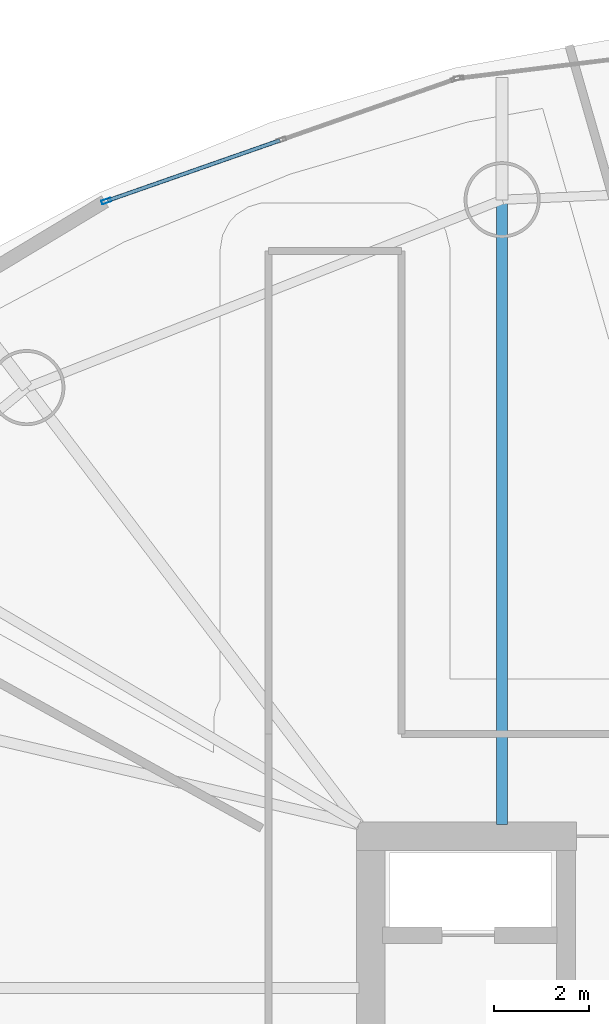
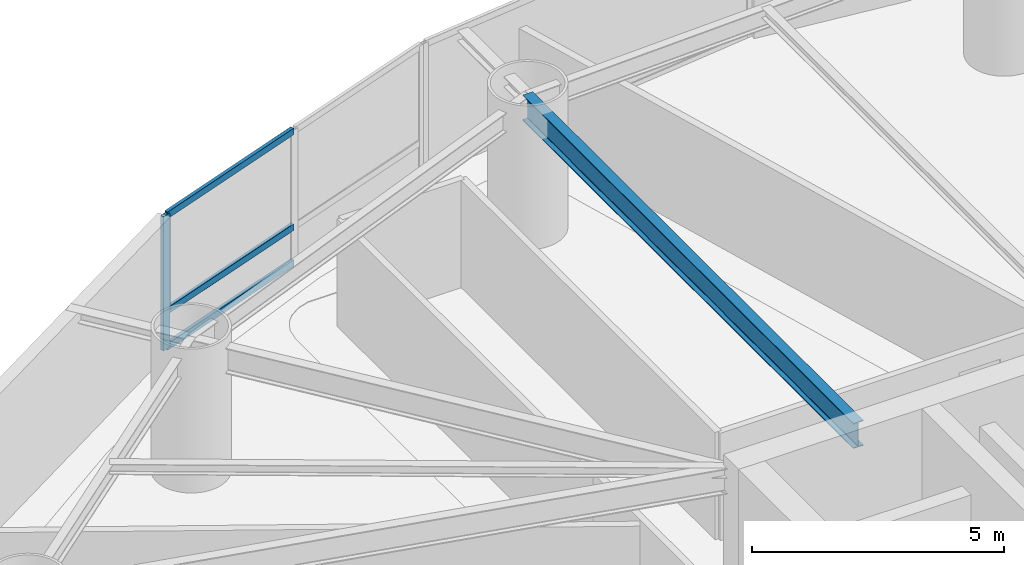
# One storey, part 17 of 30: 4 members, 1 beam, 1 element without a shape of its own.
"""IFC4 building model written with IfcOpenShell, lengths in metres."""

from ifc_helpers import new_model, si_unit, direction, frame, origin, origin_2d, place, context, subcontext, project, spatial, hollow_rectangle, i_section, extrude, material, layer, layer_set, material_profile, profile_set, type_object, element, aggregate, save


model = new_model("IFC4")

# Units and contexts
model_context = context("Model", 3, precision=1e-05, world=origin(), true_north=direction((0.0, 1.0)))
body_context = subcontext(model_context, "Body", "Model", "MODEL_VIEW")
ifc_project = project(units=[si_unit("LENGTHUNIT", "METRE"), si_unit("AREAUNIT", "SQUARE_METRE"), si_unit("VOLUMEUNIT", "CUBIC_METRE"), si_unit("PLANEANGLEUNIT", "RADIAN"), si_unit("MASSUNIT", "GRAM", prefix="KILO")], contexts=[model_context])

# Site, building, storey
site_placement = place(None, origin())
site = spatial("IfcSite", under=ifc_project, at=site_placement, CompositionType="ELEMENT")
building_placement = place(site_placement, origin())
building = spatial("IfcBuilding", under=site, at=building_placement, Name="Bramvorn Convention Spire", CompositionType="ELEMENT")
storey_placement = place(building_placement, frame((0.0, 0.0, 90.39990234375)))
storey = spatial("IfcBuildingStorey", under=building, at=storey_placement, Name="L21", CompositionType="ELEMENT", Elevation=90.39990234375)

# Beam
ifc_material_1 = material(Name="Steel CSA G40.21 Grade 350 (350W)", Category="steel")
ifc_material_profile_1 = material_profile(ifc_material_1, i_section(OverallWidth=0.22998046875, OverallDepth=0.616943359375, WebThickness=0.01318359375, FlangeThickness=0.022216796875, FilletRadius=0.02001953125, at=origin_2d()))
ifc_profile_set_1 = profile_set([ifc_material_profile_1], Name="Steel CSA G40.21 Grade 350 (350W) - W610X140")
beam_type = type_object("IfcBeamType", Name="BM-W610X140", PredefinedType="BEAM", material=ifc_profile_set_1)
beam_placement = place(storey_placement, frame((29.76220703125, 33.449951171875, 2.941650390625), z_axis=(0.0, 1.0, 0.0), x_axis=(-1.0, 0.0, 0.0)))
element("IfcBeam", 1, at=beam_placement, inside=storey, type_object=beam_type, Name="L21 radial floor girder MC06", PredefinedType="BEAM", context=body_context, shape_type="SweptSolid", body=[
    extrude(i_section(OverallWidth=0.22998046875, OverallDepth=0.616943359375, WebThickness=0.01318359375, FlangeThickness=0.022216796875, FilletRadius=0.02001953125, at=origin_2d()), origin(), (0.0, 0.0, 1.0), 13.126708984375),
])

# Curtain wall, members
ifc_material_2 = material(Name="Anodised Bronze Unitised Curtain Wall", Category="aluminium")
ifc_layer = layer(ifc_material_2, 0.179931640625)
ifc_layer_set = layer_set([ifc_layer], Name="Anodised Bronze Unitised Curtain Wall - CW-HTL-FRIT")
curtain_wall_type = type_object("IfcCurtainWallType", Name="CW-HTL-FRIT", PredefinedType="USERDEFINED", material=ifc_layer_set)
curtain_wall_placement = place(storey_placement, origin())
curtain_wall = element("IfcCurtainWall", 2, at=curtain_wall_placement, inside=storey, type_object=curtain_wall_type, Name="L21 fritted glass curtain wall 09", ObjectType="UNITISED CURTAIN WALL", PredefinedType="USERDEFINED")
ifc_material_3 = material(Name="Anodised Bronze Aluminium 6063-T6", Category="aluminium")
ifc_material_profile_2 = material_profile(ifc_material_3, hollow_rectangle(XDim=0.080078125, YDim=0.199951171875, WallThickness=0.00390625, InnerFilletRadius=0.0009765625, OuterFilletRadius=0.00390625, at=origin_2d()))
ifc_profile_set_2 = profile_set([ifc_material_profile_2], Name="Anodised Bronze Aluminium 6063-T6 - CWM80X200")
member_type_1 = type_object("IfcMemberType", Name="CW-MUL-180", PredefinedType="MULLION", material=ifc_profile_set_2)
member_1_placement = place(storey_placement, frame((21.443359375, 46.54931640625, 0.0), z_axis=(0.0, 0.0, 1.0), x_axis=(-0.329972810015, 0.943990436737, 0.0)))
member_1 = element("IfcMember", 3, at=member_1_placement, type_object=member_type_1, Name="CW2 mullion 1", PredefinedType="MULLION", context=body_context, shape_type="SweptSolid", body=[
    extrude(hollow_rectangle(XDim=0.080078125, YDim=0.199951171875, WallThickness=0.00390625, InnerFilletRadius=0.0009765625, OuterFilletRadius=0.00390625, at=origin_2d()), origin(), (0.0, 0.0, 1.0), 3.25),
])
ifc_material_profile_3 = material_profile(ifc_material_3, hollow_rectangle(XDim=0.080078125, YDim=0.159912109375, WallThickness=0.00390625, InnerFilletRadius=0.0009765625, OuterFilletRadius=0.00390625, at=origin_2d()))
ifc_profile_set_3 = profile_set([ifc_material_profile_3], Name="Anodised Bronze Aluminium 6063-T6 - CWT80X160")
member_type_2 = type_object("IfcMemberType", Name="CW-TRN-150", PredefinedType="USERDEFINED", material=ifc_profile_set_3)
member_2_placement = place(storey_placement, frame((21.4716796875, 46.559326171875, 0.030029296875), z_axis=(0.943990365466, 0.329973013909, 0.0), x_axis=(-0.329973013909, 0.943990365466, 0.0)))
member_2 = element("IfcMember", 4, at=member_2_placement, type_object=member_type_2, Name="CW2 transom 1.1", ObjectType="TRANSOM", PredefinedType="USERDEFINED", context=body_context, shape_type="SweptSolid", body=[
    extrude(hollow_rectangle(XDim=0.080078125, YDim=0.159912109375, WallThickness=0.00390625, InnerFilletRadius=0.0009765625, OuterFilletRadius=0.00390625, at=origin_2d()), origin(), (0.0, 0.0, 1.0), 3.83251953125),
])
member_3_placement = place(storey_placement, frame((21.4716796875, 46.559326171875, 0.900146484375), z_axis=(0.943990365466, 0.329973013909, 0.0), x_axis=(-0.329973013909, 0.943990365466, 0.0)))
member_3 = element("IfcMember", 5, at=member_3_placement, type_object=member_type_2, Name="CW2 transom 1.2", ObjectType="TRANSOM", PredefinedType="USERDEFINED", context=body_context, shape_type="SweptSolid", body=[
    extrude(hollow_rectangle(XDim=0.080078125, YDim=0.159912109375, WallThickness=0.00390625, InnerFilletRadius=0.0009765625, OuterFilletRadius=0.00390625, at=origin_2d()), origin(), (0.0, 0.0, 1.0), 3.83251953125),
])
member_4_placement = place(storey_placement, frame((21.4716796875, 46.559326171875, 3.22021484375), z_axis=(0.943990365466, 0.329973013909, 0.0), x_axis=(-0.329973013909, 0.943990365466, 0.0)))
member_4 = element("IfcMember", 6, at=member_4_placement, type_object=member_type_2, Name="CW2 transom 1.3", ObjectType="TRANSOM", PredefinedType="USERDEFINED", context=body_context, shape_type="SweptSolid", body=[
    extrude(hollow_rectangle(XDim=0.080078125, YDim=0.159912109375, WallThickness=0.00390625, InnerFilletRadius=0.0009765625, OuterFilletRadius=0.00390625, at=origin_2d()), origin(), (0.0, 0.0, 1.0), 3.83251953125),
])
aggregate(curtain_wall, [member_1, member_2, member_3, member_4])

save(model, "model.ifc")
